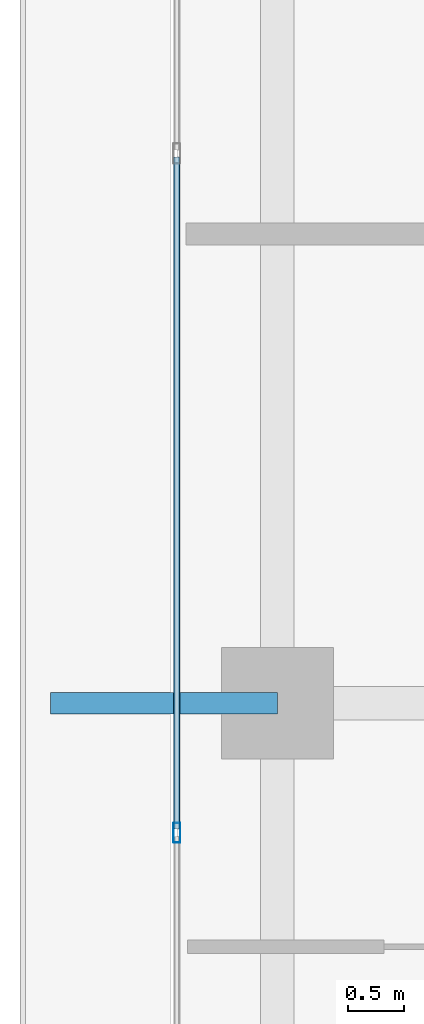
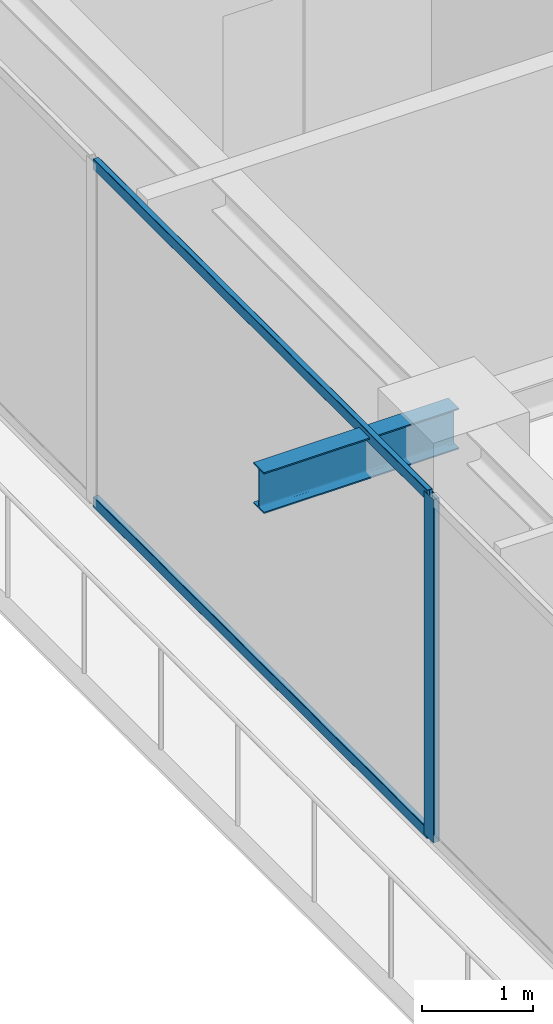
# One storey, part 10 of 42: 3 members, 1 beam, 1 element without a shape of its own.
"""IFC4 building model written with IfcOpenShell, lengths in metres."""

import ifcopenshell
import ifcopenshell.guid

model = None  # the IFC model being written
_history = None  # IfcOwnerHistory: only IFC2X3 demands one
_inside = {}  # id of a spatial element -> (the spatial element, [elements in it])
_under = {}  # id of a project, library or spatial element -> (it, [spatial elements below it])
_declared = {}  # id of a project -> (the project, [libraries it declares])
_typed = {}  # id of a type object -> (the type object, [elements of that type])
_made_of = {}  # id of a material, layer set ... -> (it, [elements and type objects made of it])


def new_model(schema):
    """Start an empty IFC model of exactly this schema.

    Asked for "IFC4X3", IfcOpenShell would pick the latest addendum, in which some entities
    have other attributes; the version numbers below select the first issue.
    IFC2X3 requires an IfcOwnerHistory on every rooted entity: one is made here for all.
    """
    global model, _history
    if schema == "IFC4X3":
        model = ifcopenshell.file(schema_version=(4, 3, 0, 0))
    else:
        model = ifcopenshell.file(schema=schema)
    _inside.clear()
    _under.clear()
    _declared.clear()
    _typed.clear()
    _made_of.clear()
    _history = None
    if model.schema == "IFC2X3":
        org = make("IfcOrganization", Name="unknown")
        user = make(
            "IfcPersonAndOrganization",
            ThePerson=make("IfcPerson", FamilyName="unknown"),
            TheOrganization=org,
        )
        app = make(
            "IfcApplication",
            ApplicationDeveloper=org,
            Version="unknown",
            ApplicationFullName="unknown",
            ApplicationIdentifier="unknown",
        )
        _history = make(
            "IfcOwnerHistory",
            OwningUser=user,
            OwningApplication=app,
            ChangeAction="ADDED",
            CreationDate=0,
        )
    return model


def make(cls, **values):
    """One entity of the class cls with the attributes given. An attribute that is None is left unset."""
    return model.create_entity(
        cls, **{name: value for name, value in values.items() if value is not None}
    )


def rooted(cls, **values):
    """An entity with a GlobalId (a new one), such as an element, a storey or a relation."""
    return make(cls, GlobalId=ifcopenshell.guid.new(), OwnerHistory=_history, **values)


def si_unit(unit_type, name, prefix=None):
    """IfcSIUnit, for example si_unit("LENGTHUNIT", "METRE", prefix="MILLI")."""
    return make("IfcSIUnit", UnitType=unit_type, Prefix=prefix, Name=name)


def assignment(units):
    """IfcUnitAssignment: the units of a project."""
    return None if units is None else make("IfcUnitAssignment", Units=units)


def point(xyz):
    """IfcCartesianPoint."""
    return None if xyz is None else make("IfcCartesianPoint", Coordinates=xyz)


def direction(xyz):
    """IfcDirection."""
    return None if xyz is None else make("IfcDirection", DirectionRatios=xyz)


def frame(location, z_axis=None, x_axis=None):
    """IfcAxis2Placement3D, a coordinate frame: its origin and axes. An axis left out is left unset."""
    return make(
        "IfcAxis2Placement3D",
        Location=point(location),
        Axis=direction(z_axis),
        RefDirection=direction(x_axis),
    )


def frame_2d(location, x_axis=None):
    """IfcAxis2Placement2D, a coordinate frame in the plane: its origin and x axis."""
    return make(
        "IfcAxis2Placement2D", Location=point(location), RefDirection=direction(x_axis)
    )


def origin():
    """The frame at (0, 0, 0) with its axes left unset."""
    return frame((0.0, 0.0, 0.0))


def origin_2d():
    """The frame at (0, 0) in the plane with its x axis left unset."""
    return frame_2d((0.0, 0.0))


def place(relative_to, where):
    """IfcLocalPlacement: puts the frame where relative to a parent placement (None: the world)."""
    return make(
        "IfcLocalPlacement", PlacementRelTo=relative_to, RelativePlacement=where
    )


def context(
    kind, dimensions, precision=None, world=None, true_north=None, identifier=None
):
    """IfcGeometricRepresentationContext, for example the 3D "Model" context."""
    return make(
        "IfcGeometricRepresentationContext",
        ContextIdentifier=identifier,
        ContextType=kind,
        CoordinateSpaceDimension=dimensions,
        Precision=precision,
        WorldCoordinateSystem=world,
        TrueNorth=true_north,
    )


def subcontext(parent, identifier, kind, view, scale=None):
    """IfcGeometricRepresentationSubContext, for example "Body" below "Model"."""
    return make(
        "IfcGeometricRepresentationSubContext",
        ContextIdentifier=identifier,
        ContextType=kind,
        ParentContext=parent,
        TargetScale=scale,
        TargetView=view,
    )


def project(units=None, contexts=None):
    """IfcProject with its units and contexts."""
    return rooted(
        "IfcProject",
        Name="project",
        RepresentationContexts=contexts,
        UnitsInContext=assignment(units),
    )


def spatial(cls, under=None, at=None, **own):
    """A site, building, storey or space (cls), placed at a placement, below another one or the project."""
    s = rooted(cls, ObjectPlacement=at, **own)
    if under is not None:
        _under.setdefault(under.id(), (under, []))[1].append(s)
    return s


def profile(cls, at=None, kind="AREA", **sizes):
    """A parametric profile (cls). Its sizes go by their IFC names, for example OverallWidth=200.0."""
    return make(cls, ProfileType=kind, Position=at, **sizes)


def hollow_rectangle(**sizes):
    """IfcRectangleHollowProfileDef."""
    return profile("IfcRectangleHollowProfileDef", **sizes)


def i_section(**sizes):
    """IfcIShapeProfileDef."""
    return profile("IfcIShapeProfileDef", **sizes)


def extrude(swept, where, along, depth):
    """IfcExtrudedAreaSolid: the profile swept, set in the frame where, extruded along a direction by depth."""
    return make(
        "IfcExtrudedAreaSolid",
        SweptArea=swept,
        Position=where,
        ExtrudedDirection=direction(along),
        Depth=depth,
    )


def shape(context_of_items, identifier, shape_type, items):
    """IfcShapeRepresentation: the items that make up one representation, for example the "Body"."""
    return make(
        "IfcShapeRepresentation",
        ContextOfItems=context_of_items,
        RepresentationIdentifier=identifier,
        RepresentationType=shape_type,
        Items=items,
    )


def source(mapping_origin, context_of_items, identifier, shape_type, items):
    """IfcRepresentationMap: a shape defined once, which mapped items show again and again."""
    return make(
        "IfcRepresentationMap",
        MappingOrigin=mapping_origin,
        MappedRepresentation=shape(context_of_items, identifier, shape_type, items),
    )


def transform(
    local_origin,
    x_axis=None,
    y_axis=None,
    z_axis=None,
    scale=None,
    scale2=None,
    scale3=None,
    uniform=True,
):
    """IfcCartesianTransformationOperator3D, or its non-uniform kind. x_axis, y_axis, z_axis: its Axis1, 2, 3."""
    if uniform:
        return make(
            "IfcCartesianTransformationOperator3D",
            Axis1=direction(x_axis),
            Axis2=direction(y_axis),
            LocalOrigin=point(local_origin),
            Scale=scale,
            Axis3=direction(z_axis),
        )
    return make(
        "IfcCartesianTransformationOperator3DnonUniform",
        Axis1=direction(x_axis),
        Axis2=direction(y_axis),
        LocalOrigin=point(local_origin),
        Scale=scale,
        Axis3=direction(z_axis),
        Scale2=scale2,
        Scale3=scale3,
    )


def mapped(mapping_source, mapping_target):
    """IfcMappedItem: shows the shape of a source again, moved by a transform."""
    return make(
        "IfcMappedItem", MappingSource=mapping_source, MappingTarget=mapping_target
    )


def material(Name=None, Category=None):
    """IfcMaterial."""
    return make("IfcMaterial", Name=Name, Category=Category)


def layer(
    of_material, thickness, ventilated=None, Name=None, Category=None, Priority=None
):
    """IfcMaterialLayer: one layer of a wall or slab, of a material (None: an air gap)."""
    return make(
        "IfcMaterialLayer",
        Material=of_material,
        LayerThickness=thickness,
        IsVentilated=ventilated,
        Name=Name,
        Category=Category,
        Priority=Priority,
    )


def layer_set(layers, Name=None):
    """IfcMaterialLayerSet."""
    return make("IfcMaterialLayerSet", MaterialLayers=layers, LayerSetName=Name)


def material_profile(
    of_material, cross_section, Name=None, Category=None, Priority=None
):
    """IfcMaterialProfile: a cross section and its material."""
    return make(
        "IfcMaterialProfile",
        Name=Name,
        Material=of_material,
        Profile=cross_section,
        Priority=Priority,
        Category=Category,
    )


def profile_set(profiles, Name=None, composite=None):
    """IfcMaterialProfileSet."""
    return make(
        "IfcMaterialProfileSet",
        Name=Name,
        MaterialProfiles=profiles,
        CompositeProfile=composite,
    )


def made_of(thing, what):
    """Note that an element or type object is made of a material, layer set ...; save() writes the relation."""
    if what is not None:
        _made_of.setdefault(what.id(), (what, []))[1].append(thing)
    return thing


def type_object(cls, material=None, **own):
    """A type object (cls), such as IfcWallType, which elements share."""
    return made_of(rooted(cls, **own), material)


def element(
    cls,
    number,
    at=None,
    inside=None,
    cuts=None,
    type_object=None,
    material=None,
    context=None,
    identifier="Body",
    shape_type=None,
    held_by="IfcProductDefinitionShape",
    body=None,
    shapes=None,
    **own,
):
    """One element of the class cls, such as IfcWall. Its Tag is "e" and its number.

    at: its placement. inside: the storey or other place that contains it. cuts: it is an
    opening in that element (IfcRelVoidsElement). A single representation is given by context,
    identifier, shape_type and body (its items); several are given by shapes. held_by: the class
    of the entity that holds the representations. save() writes the other relations.
    """
    e = rooted(cls, Tag="e%d" % number, ObjectPlacement=at, **own)
    if body is not None:
        shapes = [shape(context, identifier, shape_type, body)]
    if shapes is not None:
        e.Representation = make(held_by, Representations=shapes)
    if inside is not None:
        _inside.setdefault(inside.id(), (inside, []))[1].append(e)
    if cuts is not None:
        rooted(
            "IfcRelVoidsElement", RelatingBuildingElement=cuts, RelatedOpeningElement=e
        )
    if type_object is not None:
        _typed.setdefault(type_object.id(), (type_object, []))[1].append(e)
    return made_of(e, material)


def aggregate(whole, parts):
    """IfcRelAggregates: a whole, such as a stair, and the parts it consists of."""
    return rooted("IfcRelAggregates", RelatingObject=whole, RelatedObjects=parts)


def save(model, path):
    """Write the relations noted so far, then the file.

    IfcRelAggregates (storeys below a building ...), IfcRelContainedInSpatialStructure (elements
    in a storey), IfcRelDefinesByType, IfcRelAssociatesMaterial and IfcRelDeclares: one each for
    every whole, place, type object, material and project.
    """
    for whole, parts in _under.values():
        aggregate(whole, parts)
    for where, things in _inside.values():
        rooted(
            "IfcRelContainedInSpatialStructure",
            RelatedElements=things,
            RelatingStructure=where,
        )
    for kind, things in _typed.values():
        rooted("IfcRelDefinesByType", RelatedObjects=things, RelatingType=kind)
    for what, things in _made_of.values():
        rooted("IfcRelAssociatesMaterial", RelatedObjects=things, RelatingMaterial=what)
    for by, libraries in _declared.values():
        rooted("IfcRelDeclares", RelatingContext=by, RelatedDefinitions=libraries)
    model.write(path)


model = new_model("IFC4")

# Units and contexts
model_context = context("Model", 3, precision=1e-05, world=origin(), true_north=direction((0.0, 1.0)))
body_context = subcontext(model_context, "Body", "Model", "MODEL_VIEW")
ifc_project = project(units=[si_unit("LENGTHUNIT", "METRE"), si_unit("AREAUNIT", "SQUARE_METRE"), si_unit("VOLUMEUNIT", "CUBIC_METRE"), si_unit("PLANEANGLEUNIT", "RADIAN"), si_unit("MASSUNIT", "GRAM", prefix="KILO")], contexts=[model_context])

# Site, building, storey
site_placement = place(None, origin())
site = spatial("IfcSite", under=ifc_project, at=site_placement, CompositionType="ELEMENT")
building_placement = place(site_placement, origin())
building = spatial("IfcBuilding", under=site, at=building_placement, Name="Serunith Strait Residences", CompositionType="ELEMENT")
storey_placement = place(building_placement, frame((0.0, 0.0, 293.449951171875)))
storey = spatial("IfcBuildingStorey", under=building, at=storey_placement, Name="L73", CompositionType="ELEMENT", Elevation=293.449951171875)

# Beam
ifc_material_1 = material(Name="Steel S355J2", Category="steel")
ifc_material_profile_1 = material_profile(ifc_material_1, i_section(OverallWidth=0.18994140625, OverallDepth=0.449951171875, WebThickness=0.009521484375, FlangeThickness=0.0146484375, FilletRadius=0.02099609375, at=origin_2d()), Name="IPE 450")
ifc_profile_set_1 = profile_set([ifc_material_profile_1], Name="Steel S355J2")
beam_type = type_object("IfcBeamType", Name="BM-IPE450", PredefinedType="JOIST", material=ifc_profile_set_1)
shared_shape_1 = source(origin(), body_context, "Body", "SweptSolid", [
    extrude(i_section(OverallWidth=0.18994140625, OverallDepth=0.449951171875, WebThickness=0.009521484375, FlangeThickness=0.0146484375, FilletRadius=0.02099609375, at=origin_2d()), origin(), (0.0, 0.0, 1.0), 2.030029296875),
])
beam_placement = place(storey_placement, frame((10.10009765625, 29.39990234375, 3.531982421875), z_axis=(-1.0, 0.0, 0.0), x_axis=(0.0, -1.0, 0.0)))
element("IfcBeam", 1, at=beam_placement, inside=storey, type_object=beam_type, Name="L74 Cantilevered Balcony Rib TC-W3", PredefinedType="JOIST", context=body_context, shape_type="MappedRepresentation", body=[
    mapped(shared_shape_1, transform((0.0, 0.0, 0.0), scale=1.0)),
])

# Curtain wall, members
ifc_material_2 = material(Name="Brushed Stainless-Silver Aluminium", Category="aluminium")
ifc_layer = layer(ifc_material_2, 0.199951171875, Name="Brushed Stainless-Silver Aluminium")
ifc_layer_set = layer_set([ifc_layer], Name="Brushed Stainless-Silver Aluminium")
curtain_wall_type = type_object("IfcCurtainWallType", Name="CW-SYS5", PredefinedType="NOTDEFINED", material=ifc_layer_set)
curtain_wall_placement = place(storey_placement, origin())
curtain_wall = element("IfcCurtainWall", 2, at=curtain_wall_placement, inside=storey, type_object=curtain_wall_type, Name="L73 W Unitised Fritted Curtain Wall", PredefinedType="NOTDEFINED")
ifc_material_profile_2 = material_profile(ifc_material_2, hollow_rectangle(XDim=0.06494140625, YDim=0.179931640625, WallThickness=0.00341796875, InnerFilletRadius=0.00537109375, OuterFilletRadius=0.0087890625, at=origin_2d()), Name="ALU 180x65x3.5")
ifc_profile_set_2 = profile_set([ifc_material_profile_2], Name="Brushed Stainless-Silver Aluminium")
member_type_1 = type_object("IfcMemberType", Name="CW-SYS5-MULL", PredefinedType="MULLION", material=ifc_profile_set_2)
shared_shape_2 = source(origin(), body_context, "Body", "SweptSolid", [
    extrude(hollow_rectangle(XDim=0.06494140625, YDim=0.179931640625, WallThickness=0.00341796875, InnerFilletRadius=0.00537109375, OuterFilletRadius=0.0087890625, at=origin_2d()), origin(), (0.0, 0.0, 1.0), 3.775146484375),
])
member_1_placement = place(storey_placement, frame((9.199951171875, 28.239990234375, 0.0), z_axis=(0.0, 0.0, 1.0), x_axis=(1.0, 0.0, 0.0)))
member_1 = element("IfcMember", 3, at=member_1_placement, type_object=member_type_1, Name="CW-5 mullion 3", PredefinedType="MULLION", context=body_context, shape_type="MappedRepresentation", body=[
    mapped(shared_shape_2, transform((0.0, 0.0, 0.0), scale=1.0)),
])
ifc_material_profile_3 = material_profile(ifc_material_2, hollow_rectangle(XDim=0.06005859375, YDim=0.1201171875, WallThickness=0.00341796875, InnerFilletRadius=0.00537109375, OuterFilletRadius=0.0087890625, at=origin_2d()), Name="ALU 120x60x3.5")
ifc_profile_set_3 = profile_set([ifc_material_profile_3], Name="Brushed Stainless-Silver Aluminium")
member_type_2 = type_object("IfcMemberType", Name="CW-SYS5-TRAN", PredefinedType="USERDEFINED", material=ifc_profile_set_3)
shared_shape_3 = source(origin(), body_context, "Body", "SweptSolid", [
    extrude(hollow_rectangle(XDim=0.06005859375, YDim=0.1201171875, WallThickness=0.00341796875, InnerFilletRadius=0.00537109375, OuterFilletRadius=0.0087890625, at=origin_2d()), origin(), (0.0, 0.0, 1.0), 6.01513671875),
])
member_2_placement = place(storey_placement, frame((9.199951171875, 34.28759765625, 0.030029296875), z_axis=(0.0, -1.0, 0.0), x_axis=(1.0, 0.0, 0.0)))
member_2 = element("IfcMember", 4, at=member_2_placement, type_object=member_type_2, Name="CW-5 transom 2.1", ObjectType="TRANSOM", PredefinedType="USERDEFINED", context=body_context, shape_type="MappedRepresentation", body=[
    mapped(shared_shape_3, transform((0.0, 0.0, 0.0), scale=1.0)),
])
member_3_placement = place(storey_placement, frame((9.199951171875, 34.28759765625, 3.7451171875), z_axis=(0.0, -1.0, 0.0), x_axis=(1.0, 0.0, 0.0)))
member_3 = element("IfcMember", 5, at=member_3_placement, type_object=member_type_2, Name="CW-5 transom 2.2", ObjectType="TRANSOM", PredefinedType="USERDEFINED", context=body_context, shape_type="MappedRepresentation", body=[
    mapped(shared_shape_3, transform((0.0, 0.0, 0.0), scale=1.0)),
])
aggregate(curtain_wall, [member_1, member_2, member_3])

save(model, "model.ifc")
